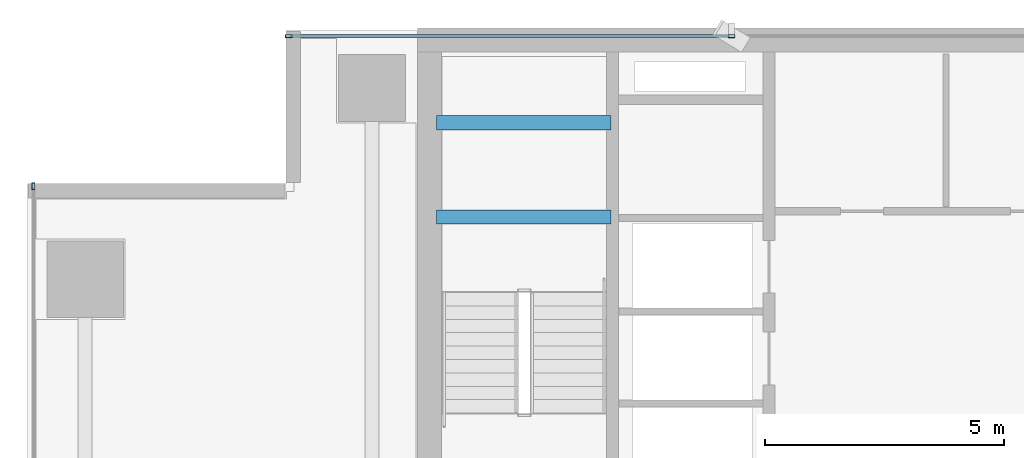
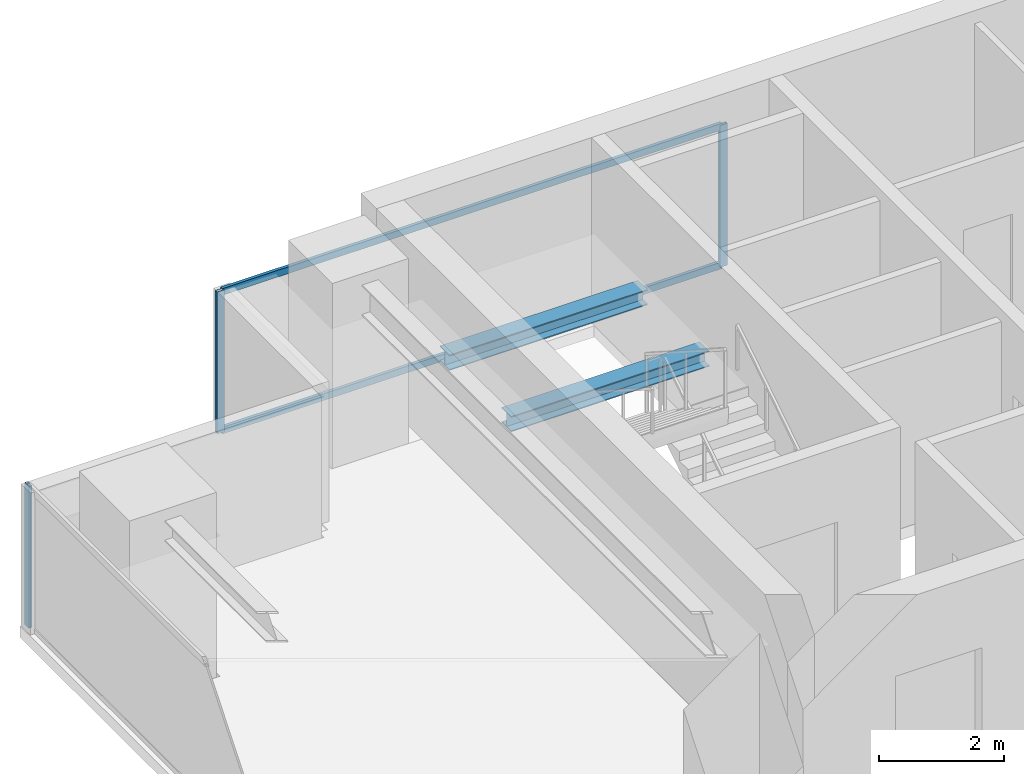
# One storey, part 19 of 30: 5 members, 2 beams, 2 elements without a shape of their own.
"""IFC4 building model written with IfcOpenShell, lengths in metres."""

from ifc_helpers import new_model, si_unit, direction, frame, origin, origin_2d, place, context, subcontext, project, spatial, hollow_rectangle, i_section, extrude, source, transform, mapped, material, layer, layer_set, material_profile, profile_set, type_object, element, aggregate, save


model = new_model("IFC4")

# Units and contexts
model_context = context("Model", 3, precision=1e-05, world=origin(), true_north=direction((0.0, 1.0)))
body_context = subcontext(model_context, "Body", "Model", "MODEL_VIEW")
ifc_project = project(units=[si_unit("LENGTHUNIT", "METRE"), si_unit("AREAUNIT", "SQUARE_METRE"), si_unit("VOLUMEUNIT", "CUBIC_METRE"), si_unit("PLANEANGLEUNIT", "RADIAN"), si_unit("MASSUNIT", "GRAM", prefix="KILO")], contexts=[model_context])

# Site, building, storey
site_placement = place(None, origin())
site = spatial("IfcSite", under=ifc_project, at=site_placement, CompositionType="ELEMENT")
building_placement = place(site_placement, origin())
building = spatial("IfcBuilding", under=site, at=building_placement, Name="Sumidabori Civic Tower", CompositionType="ELEMENT")
storey_placement = place(building_placement, frame((0.0, 0.0, 200.0)))
storey = spatial("IfcBuildingStorey", under=building, at=storey_placement, Name="L51", CompositionType="ELEMENT", Elevation=200.0)

# Beams
ifc_material_1 = material(Name="Steel SN490", Category="steel")
ifc_material_profile_1 = material_profile(ifc_material_1, i_section(OverallWidth=0.300048828125, OverallDepth=0.300048828125, WebThickness=0.010986328125, FlangeThickness=0.01904296875, at=origin_2d()), Name="HE 300 B")
ifc_profile_set_1 = profile_set([ifc_material_profile_1], Name="Steel SN490")
beam_type = type_object("IfcBeamType", Name="BM-LDG-300", PredefinedType="BEAM", material=ifc_profile_set_1)
shared_shape_1 = source(origin(), body_context, "Body", "SweptSolid", [
    extrude(i_section(OverallWidth=0.300048828125, OverallDepth=0.300048828125, WebThickness=0.010986328125, FlangeThickness=0.01904296875, at=origin_2d()), origin(), (0.0, 0.0, 1.0), 3.64990234375),
])
for number, where, z_axis, x_axis, name in (
    (1, (-15.449951171875, 20.09765625, 1.449951171875), (1.0, 0.0, 0.0), (0.0, 1.0, 0.0), "Stair ST-1 Landing Support Beam L51-1A"),
    (2, (-15.449951171875, 22.069580078125, 1.449951171875), (1.0, 0.0, 0.0), (0.0, 1.0, 0.0), "Stair ST-1 Landing Trimmer Beam L51-1B"),
):
    element("IfcBeam", number, at=place(storey_placement, frame(where, z_axis=z_axis, x_axis=x_axis)), inside=storey, type_object=beam_type, Name=name, PredefinedType="BEAM", context=body_context, shape_type="MappedRepresentation", body=[
        mapped(shared_shape_1, transform((0.0, 0.0, 0.0), x_axis=(1.0, 0.0, 0.0), y_axis=(0.0, 1.0, 0.0), z_axis=(0.0, 0.0, 1.0), scale=1.0)),
    ])

# Curtain wall, members
ifc_material_2 = material(Name="Anodised Bronze Aluminium AW-6063-T6", Category="aluminium")
ifc_layer = layer(ifc_material_2, 0.179931640625, Name="Anodised Bronze Aluminium AW-6063-T6")
ifc_layer_set = layer_set([ifc_layer], Name="Anodised Bronze Aluminium AW-6063-T6")
curtain_wall_type = type_object("IfcCurtainWallType", Name="CW-SYS-5", PredefinedType="NOTDEFINED", material=ifc_layer_set)
curtain_wall_1_placement = place(storey_placement, origin())
curtain_wall_1 = element("IfcCurtainWall", 3, at=curtain_wall_1_placement, inside=storey, type_object=curtain_wall_type, Name="Curtain Wall CW:L51:R13", PredefinedType="NOTDEFINED")
ifc_material_profile_2 = material_profile(ifc_material_2, hollow_rectangle(XDim=0.06005859375, YDim=0.139892578125, WallThickness=0.0048828125, at=origin_2d()), Name="ALU MULLION 140x60")
ifc_profile_set_2 = profile_set([ifc_material_profile_2], Name="Anodised Bronze Aluminium AW-6063-T6")
member_type_1 = type_object("IfcMemberType", Name="CW-MUL-140", PredefinedType="MULLION", material=ifc_profile_set_2)
shared_shape_2 = source(origin(), body_context, "Body", "SweptSolid", [
    extrude(hollow_rectangle(XDim=0.06005859375, YDim=0.139892578125, WallThickness=0.0048828125, at=origin_2d()), origin(), (0.0, 0.0, 1.0), 2.760009765625),
])
member_1_placement = place(storey_placement, frame((-9.284912109375, 23.8798828125, 0.0), z_axis=(0.0, 0.0, 1.0), x_axis=(0.0, -1.0, 0.0)))
member_1 = element("IfcMember", 4, at=member_1_placement, type_object=member_type_1, Name="CW-5 mullion 4", PredefinedType="MULLION", context=body_context, shape_type="MappedRepresentation", body=[
    mapped(shared_shape_2, transform((0.0, 0.0, 0.0), x_axis=(1.0, 0.0, 0.0), y_axis=(0.0, 1.0, 0.0), z_axis=(0.0, 0.0, 1.0), scale=1.0)),
])
member_2_placement = place(storey_placement, frame((-18.5400390625, 23.8798828125, 0.0), z_axis=(0.0, 0.0, 1.0), x_axis=(0.0, -1.0, 0.0)))
member_2 = element("IfcMember", 5, at=member_2_placement, type_object=member_type_1, Name="CW-5 mullion 5", PredefinedType="MULLION", context=body_context, shape_type="MappedRepresentation", body=[
    mapped(shared_shape_2, transform((0.0, 0.0, 0.0), x_axis=(1.0, 0.0, 0.0), y_axis=(0.0, 1.0, 0.0), z_axis=(0.0, 0.0, 1.0), scale=1.0)),
])

# Curtain wall, member
curtain_wall_2_placement = place(storey_placement, origin())
curtain_wall_2 = element("IfcCurtainWall", 6, at=curtain_wall_2_placement, inside=storey, type_object=curtain_wall_type, Name="Curtain Wall CW:L51:R16", PredefinedType="NOTDEFINED")
member_3_placement = place(storey_placement, frame((-23.8798828125, 20.739990234375, 0.0), z_axis=(0.0, 0.0, 1.0), x_axis=(1.0, 0.0, 0.0)))
member_3 = element("IfcMember", 7, at=member_3_placement, type_object=member_type_1, Name="CW-5 mullion 1", PredefinedType="MULLION", context=body_context, shape_type="MappedRepresentation", body=[
    mapped(shared_shape_2, transform((0.0, 0.0, 0.0), x_axis=(1.0, 0.0, 0.0), y_axis=(0.0, 1.0, 0.0), z_axis=(0.0, 0.0, 1.0), scale=1.0)),
])
aggregate(curtain_wall_2, [member_3])

# Member
ifc_material_profile_3 = material_profile(ifc_material_2, hollow_rectangle(XDim=0.06005859375, YDim=0.1298828125, WallThickness=0.0048828125, at=origin_2d()), Name="ALU TRANSOM 130x60")
ifc_profile_set_3 = profile_set([ifc_material_profile_3], Name="Anodised Bronze Aluminium AW-6063-T6")
member_type_2 = type_object("IfcMemberType", Name="CW-TRN-130", PredefinedType="USERDEFINED", material=ifc_profile_set_3)
shared_shape_3 = source(origin(), body_context, "Body", "SweptSolid", [
    extrude(hollow_rectangle(XDim=0.06005859375, YDim=0.1298828125, WallThickness=0.0048828125, at=origin_2d()), origin(), (0.0, 0.0, 1.0), 9.195068359375),
])
member_4_placement = place(storey_placement, frame((-9.31494140625, 23.8798828125, 0.030029296875), z_axis=(-1.0, 0.0, 0.0), x_axis=(0.0, -1.0, 0.0)))
member_4 = element("IfcMember", 8, at=member_4_placement, type_object=member_type_2, Name="CW-5 transom 4.1", ObjectType="TRANSOM", PredefinedType="USERDEFINED", context=body_context, shape_type="MappedRepresentation", body=[
    mapped(shared_shape_3, transform((0.0, 0.0, 0.0), x_axis=(1.0, 0.0, 0.0), y_axis=(0.0, 1.0, 0.0), z_axis=(0.0, 0.0, 1.0), scale=1.0)),
])

member_5_placement = place(storey_placement, frame((-9.31494140625, 23.8798828125, 2.72998046875), z_axis=(-1.0, 0.0, 0.0), x_axis=(0.0, -1.0, 0.0)))
member_5 = element("IfcMember", 9, at=member_5_placement, type_object=member_type_2, Name="CW-5 transom 4.2", ObjectType="TRANSOM", PredefinedType="USERDEFINED", context=body_context, shape_type="MappedRepresentation", body=[
    mapped(shared_shape_3, transform((0.0, 0.0, 0.0), x_axis=(1.0, 0.0, 0.0), y_axis=(0.0, 1.0, 0.0), z_axis=(0.0, 0.0, 1.0), scale=1.0)),
])

aggregate(curtain_wall_1, [member_1, member_2, member_4, member_5])

save(model, "model.ifc")
